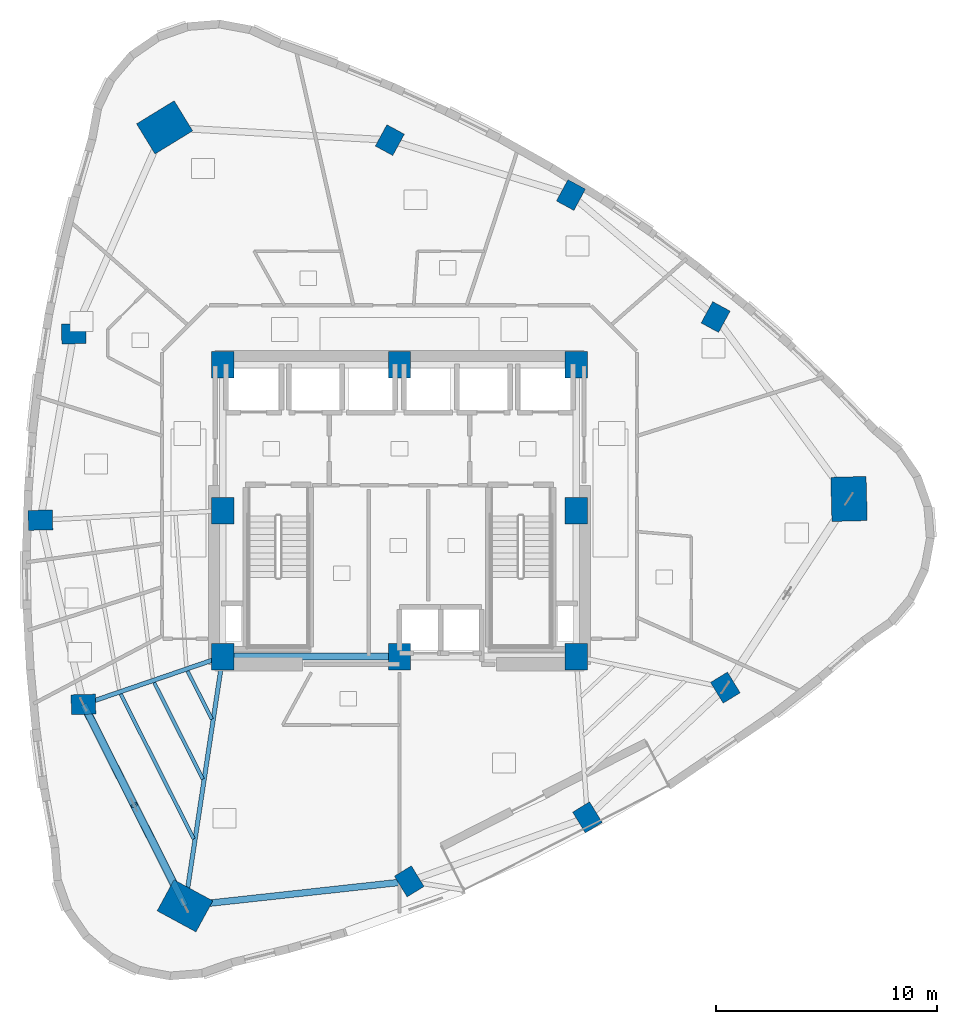
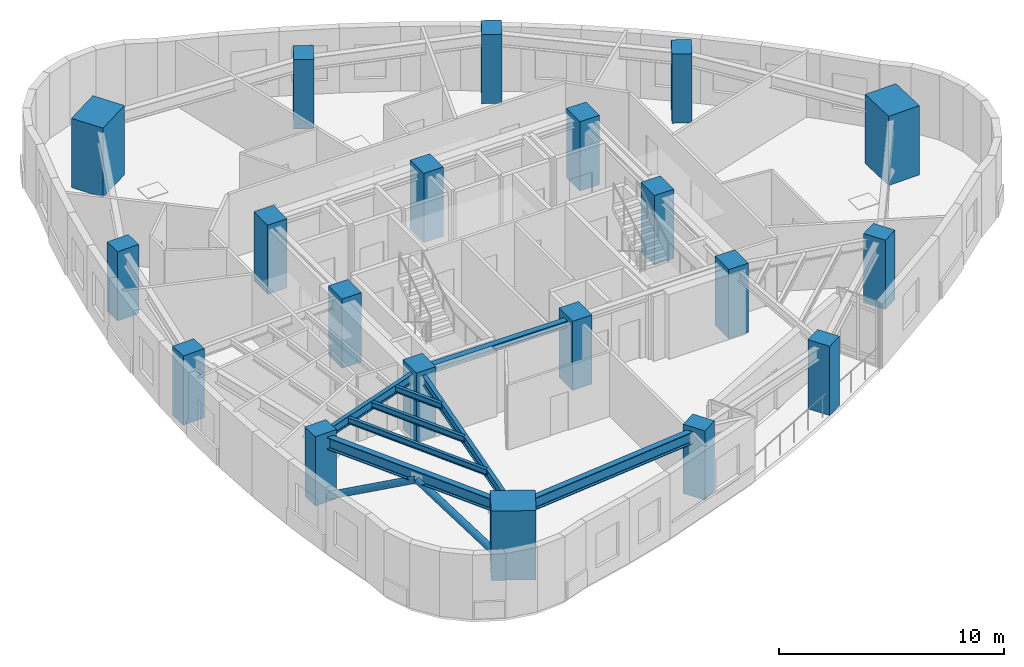
# One storey, part 1 of 12: 20 columns, 8 beams, 2 members.
"""IFC4 building model written with IfcOpenShell, lengths in metres."""

from ifc_helpers import new_model, si_unit, direction, frame, origin, origin_2d, place, context, subcontext, project, spatial, rectangle, hollow_circle, i_section, extrude, material, material_profile, profile_set, type_object, element, save


model = new_model("IFC4")

# Units and contexts
model_context = context("Model", 3, precision=1e-05, world=origin(), true_north=direction((0.0, 1.0)))
body_context = subcontext(model_context, "Body", "Model", "MODEL_VIEW")
ifc_project = project(units=[si_unit("LENGTHUNIT", "METRE"), si_unit("AREAUNIT", "SQUARE_METRE"), si_unit("VOLUMEUNIT", "CUBIC_METRE"), si_unit("PLANEANGLEUNIT", "RADIAN"), si_unit("MASSUNIT", "GRAM", prefix="KILO")], contexts=[model_context])

# Site, building, storey
site_placement = place(None, origin())
site = spatial("IfcSite", under=ifc_project, at=site_placement, CompositionType="ELEMENT")
building_placement = place(site_placement, origin())
building = spatial("IfcBuilding", under=site, at=building_placement, Name="Ndelora Gate Hotel", CompositionType="ELEMENT")
storey_placement = place(building_placement, frame((0.0, 0.0, 112.25)))
storey = spatial("IfcBuildingStorey", under=building, at=storey_placement, Name="L27", CompositionType="ELEMENT", Elevation=112.25)

# Columns
ifc_material_1 = material(Name="Concrete C60/75", Category="concrete")
ifc_material_profile_1 = material_profile(ifc_material_1, rectangle(XDim=1.0, YDim=1.199951171875, at=origin_2d()), Name="RC 1200x1000")
ifc_profile_set_1 = profile_set([ifc_material_profile_1], Name="Concrete C60/75")
column_type_1 = type_object("IfcColumnType", Name="COL-CC-MID", PredefinedType="COLUMN", material=ifc_profile_set_1)
for number, where, z_axis, x_axis, name in (
    (1, (-8.0, -6.60009765625, 0.0), (0.0, 0.0, 1.0), (1.0, 0.0, 0.0), "L27 Core Column CC1"),
    (2, (0.0, -6.60009765625, 0.0), (0.0, 0.0, 1.0), (1.0, 0.0, 0.0), "L27 Core Column CC2"),
    (3, (8.0, -6.60009765625, 0.0), (0.0, 0.0, 1.0), (1.0, 0.0, 0.0), "L27 Core Column CC3"),
    (4, (8.0, 0.0, 0.0), (0.0, 0.0, 1.0), (1.0, 0.0, 0.0), "L27 Core Column CC4"),
    (5, (8.0, 6.60009765625, 0.0), (0.0, 0.0, 1.0), (1.0, 0.0, 0.0), "L27 Core Column CC5"),
    (6, (0.0, 6.60009765625, 0.0), (0.0, 0.0, 1.0), (1.0, 0.0, 0.0), "L27 Core Column CC6"),
    (7, (-8.0, 6.60009765625, 0.0), (0.0, 0.0, 1.0), (1.0, 0.0, 0.0), "L27 Core Column CC7"),
    (8, (-8.0, 0.0, 0.0), (0.0, 0.0, 1.0), (1.0, 0.0, 0.0), "L27 Core Column CC8"),
):
    element("IfcColumn", number, at=place(storey_placement, frame(where, z_axis=z_axis, x_axis=x_axis)), inside=storey, type_object=column_type_1, Name=name, PredefinedType="COLUMN", context=body_context, shape_type="SweptSolid", body=[
        extrude(rectangle(XDim=1.0, YDim=1.199951171875, at=origin_2d()), origin(), (0.0, 0.0, 1.0), 3.75),
    ])
ifc_material_profile_2 = material_profile(ifc_material_1, rectangle(XDim=1.60009765625, YDim=2.0, at=origin_2d()), Name="RC 2000x1600")
ifc_profile_set_2 = profile_set([ifc_material_profile_2], Name="Concrete C60/75")
column_type_2 = type_object("IfcColumnType", Name="COL-MC-Z2", PredefinedType="COLUMN", material=ifc_profile_set_2)
for number, where, z_axis, x_axis, name in (
    (9, (-10.63330078125, 17.351806640625, 0.0), (0.0, 0.0, 1.0), (-0.522498564716, 0.852640164354, 0.0), "L27 Corner Mega-Column R1"),
    (10, (-9.71044921875, -17.884521484375, 0.0), (0.0, 0.0, 1.0), (0.47715876026, 0.878817112662, 0.0), "L27 Corner Mega-Column R5"),
    (11, (20.34375, 0.53271484375, 0.0), (0.0, 0.0, 1.0), (0.999657324976, 0.026176948308, 0.0), "L27 Corner Mega-Column R9"),
):
    element("IfcColumn", number, at=place(storey_placement, frame(where, z_axis=z_axis, x_axis=x_axis)), inside=storey, type_object=column_type_2, Name=name, PredefinedType="COLUMN", context=body_context, shape_type="SweptSolid", body=[
        extrude(rectangle(XDim=1.60009765625, YDim=2.0, at=origin_2d()), origin(), (0.0, 0.0, 1.0), 3.75),
    ])
ifc_material_profile_3 = material_profile(ifc_material_1, rectangle(XDim=0.89990234375, YDim=1.10009765625, at=origin_2d()), Name="RC 1100x900")
ifc_profile_set_3 = profile_set([ifc_material_profile_3], Name="Concrete C60/75")
column_type_3 = type_object("IfcColumnType", Name="COL-PT-Z2", PredefinedType="COLUMN", material=ifc_profile_set_3)
for number, where, z_axis, x_axis, name in (
    (12, (-14.74658203125, 8.006591796875, 0.0), (0.0, 0.0, 1.0), (-0.026176948308, 0.999657324976, 0.0), "L27 Perimeter Tube Column R2"),
    (13, (-16.25537109375, -0.42578125, 0.0), (0.0, 0.0, 1.0), (-0.026176948308, 0.999657324976, 0.0), "L27 Perimeter Tube Column R3"),
    (14, (-14.307373046875, -8.767578125, 0.0), (0.0, 0.0, 1.0), (-0.026176948308, 0.999657324976, 0.0), "L27 Perimeter Tube Column R4"),
    (15, (0.439208984375, -16.7744140625, 0.0), (0.0, 0.0, 1.0), (0.852640164354, 0.522498564716, 0.0), "L27 Perimeter Tube Column R6"),
    (16, (8.50439453125, -13.878173828125, 0.0), (0.0, 0.0, 1.0), (0.852640164354, 0.522498564716, 0.0), "L27 Perimeter Tube Column R7"),
    (17, (14.74658203125, -8.006591796875, 0.0), (0.0, 0.0, 1.0), (0.852640164354, 0.522498564716, 0.0), "L27 Perimeter Tube Column R8"),
    (18, (14.30712890625, 8.767333984375, 0.0), (0.0, 0.0, 1.0), (-0.878817112662, 0.47715876026, 0.0), "L27 Perimeter Tube Column R10"),
    (19, (7.759033203125, 14.290283203125, 0.0), (0.0, 0.0, 1.0), (-0.878817112662, 0.47715876026, 0.0), "L27 Perimeter Tube Column R11"),
    (20, (-0.439208984375, 16.7744140625, 0.0), (0.0, 0.0, 1.0), (-0.878817112662, 0.47715876026, 0.0), "L27 Perimeter Tube Column R12"),
):
    element("IfcColumn", number, at=place(storey_placement, frame(where, z_axis=z_axis, x_axis=x_axis)), inside=storey, type_object=column_type_3, Name=name, PredefinedType="COLUMN", context=body_context, shape_type="SweptSolid", body=[
        extrude(rectangle(XDim=0.89990234375, YDim=1.10009765625, at=origin_2d()), origin(), (0.0, 0.0, 1.0), 3.75),
    ])

# Beams
ifc_material_2 = material(Name="Steel S355", Category="steel")
ifc_material_profile_4 = material_profile(ifc_material_2, i_section(OverallWidth=0.300048828125, OverallDepth=0.360107421875, WebThickness=0.012451171875, FlangeThickness=0.0224609375, FilletRadius=0.027099609375, at=origin_2d()), Name="HEB 360")
ifc_profile_set_4 = profile_set([ifc_material_profile_4], Name="Steel S355")
beam_type_1 = type_object("IfcBeamType", Name="BM-CORE-360", PredefinedType="BEAM", material=ifc_profile_set_4)
beam_1_placement = place(storey_placement, frame((-8.0, -6.60009765625, 3.320068359375), z_axis=(1.0, 0.0, 0.0), x_axis=(0.0, 1.0, 0.0)))
element("IfcBeam", 21, at=beam_1_placement, inside=storey, type_object=beam_type_1, Name="L27 Core Tie Girder CC1-CC2", PredefinedType="BEAM", context=body_context, shape_type="SweptSolid", body=[
    extrude(i_section(OverallWidth=0.300048828125, OverallDepth=0.360107421875, WebThickness=0.012451171875, FlangeThickness=0.0224609375, FilletRadius=0.027099609375, at=origin_2d()), origin(), (0.0, 0.0, 1.0), 8.0),
])
ifc_material_profile_5 = material_profile(ifc_material_2, i_section(OverallWidth=0.159912109375, OverallDepth=0.330078125, WebThickness=0.007568359375, FlangeThickness=0.011474609375, FilletRadius=0.01806640625, at=origin_2d()), Name="IPE 330")
ifc_profile_set_5 = profile_set([ifc_material_profile_5], Name="Steel S355")
beam_type_2 = type_object("IfcBeamType", Name="BM-JST-330", PredefinedType="JOIST", material=ifc_profile_set_5)
beam_2_placement = place(storey_placement, frame((-9.59033203125, -7.26171875, 3.3349609375), z_axis=(0.450139260243, -0.892958367668, 0.0), x_axis=(0.892958367668, 0.450139260243, 0.0)))
element("IfcBeam", 22, at=beam_2_placement, inside=storey, type_object=beam_type_2, Name="L27 Secondary Composite Floor Joist IN-4", PredefinedType="JOIST", context=body_context, shape_type="SweptSolid", body=[
    extrude(i_section(OverallWidth=0.159912109375, OverallDepth=0.330078125, WebThickness=0.007568359375, FlangeThickness=0.011474609375, FilletRadius=0.01806640625, at=origin_2d()), origin(), (0.0, 0.0, 1.0), 2.4345703125),
])
beam_3_placement = place(storey_placement, frame((-11.10400390625, -7.781982421875, 3.3349609375), z_axis=(0.450189724408, -0.892932926953, 0.0), x_axis=(0.892932926953, 0.450189724408, 0.0)))
element("IfcBeam", 23, at=beam_3_placement, inside=storey, type_object=beam_type_2, Name="L27 Secondary Composite Floor Joist MID-4", PredefinedType="JOIST", context=body_context, shape_type="SweptSolid", body=[
    extrude(i_section(OverallWidth=0.159912109375, OverallDepth=0.330078125, WebThickness=0.007568359375, FlangeThickness=0.011474609375, FilletRadius=0.01806640625, at=origin_2d()), origin(), (0.0, 0.0, 1.0), 4.885009765625),
])
beam_4_placement = place(storey_placement, frame((-12.617919921875, -8.30224609375, 3.3349609375), z_axis=(0.45023300903, -0.892911102843, 0.0), x_axis=(0.892911102843, 0.45023300903, 0.0)))
element("IfcBeam", 24, at=beam_4_placement, inside=storey, type_object=beam_type_2, Name="L27 Secondary Composite Floor Joist OUT-4", PredefinedType="JOIST", context=body_context, shape_type="SweptSolid", body=[
    extrude(i_section(OverallWidth=0.159912109375, OverallDepth=0.330078125, WebThickness=0.007568359375, FlangeThickness=0.011474609375, FilletRadius=0.01806640625, at=origin_2d()), origin(), (0.0, 0.0, 1.0), 7.335693359375),
])
ifc_material_profile_6 = material_profile(ifc_material_2, i_section(OverallWidth=0.199951171875, OverallDepth=0.5, WebThickness=0.01025390625, FlangeThickness=0.01611328125, FilletRadius=0.02099609375, at=origin_2d()), Name="IPE 500")
ifc_profile_set_6 = profile_set([ifc_material_profile_6], Name="Steel S355")
beam_type_3 = type_object("IfcBeamType", Name="BM-RAD-500", PredefinedType="BEAM", material=ifc_profile_set_6)
beam_5_placement = place(storey_placement, frame((-8.0, -6.60009765625, 3.25), z_axis=(-0.945717893913, -0.324988715392, 0.0), x_axis=(0.324988715392, -0.945717893913, 0.0)))
element("IfcBeam", 25, at=beam_5_placement, inside=storey, type_object=beam_type_3, Name="L27 Radial Floor Girder 4", PredefinedType="BEAM", context=body_context, shape_type="SweptSolid", body=[
    extrude(i_section(OverallWidth=0.199951171875, OverallDepth=0.5, WebThickness=0.01025390625, FlangeThickness=0.01611328125, FilletRadius=0.02099609375, at=origin_2d()), origin(), (0.0, 0.0, 1.0), 6.66943359375),
])
beam_6_placement = place(storey_placement, frame((-8.0, -6.60009765625, 3.25), z_axis=(-0.149864309615, -0.988706573612, 0.0), x_axis=(0.988706573612, -0.149864309615, 0.0)))
element("IfcBeam", 26, at=beam_6_placement, inside=storey, type_object=beam_type_3, Name="L27 Radial Floor Girder 5", PredefinedType="BEAM", context=body_context, shape_type="SweptSolid", body=[
    extrude(i_section(OverallWidth=0.199951171875, OverallDepth=0.5, WebThickness=0.01025390625, FlangeThickness=0.01611328125, FilletRadius=0.02099609375, at=origin_2d()), origin(), (0.0, 0.0, 1.0), 11.413330078125),
])
ifc_material_profile_7 = material_profile(ifc_material_2, i_section(OverallWidth=0.300048828125, OverallDepth=0.64990234375, WebThickness=0.01611328125, FlangeThickness=0.031005859375, FilletRadius=0.027099609375, at=origin_2d()), Name="HEB 650")
ifc_profile_set_7 = profile_set([ifc_material_profile_7], Name="Steel S355")
beam_type_4 = type_object("IfcBeamType", Name="BM-RING-650", PredefinedType="SPANDREL", material=ifc_profile_set_7)
for number, where, z_axis, x_axis, name in (
    (27, (-14.307373046875, -8.767578125, 3.175048828125), (0.450223868811, -0.892915711561, 0.0), (0.892915711561, 0.450223868811, 0.0), "L27 Perimeter Spandrel Girder 4"),
    (28, (-9.71044921875, -17.884521484375, 3.175048828125), (0.994071812898, 0.108725483685, 0.0), (-0.108725483685, 0.994071812898, 0.0), "L27 Perimeter Spandrel Girder 5"),
):
    element("IfcBeam", number, at=place(storey_placement, frame(where, z_axis=z_axis, x_axis=x_axis)), inside=storey, type_object=beam_type_4, Name=name, PredefinedType="SPANDREL", context=body_context, shape_type="SweptSolid", body=[
        extrude(i_section(OverallWidth=0.300048828125, OverallDepth=0.64990234375, WebThickness=0.01611328125, FlangeThickness=0.031005859375, FilletRadius=0.027099609375, at=origin_2d()), origin(), (0.0, 0.0, 1.0), 10.210205078125),
    ])

# Members
ifc_material_profile_8 = material_profile(ifc_material_2, hollow_circle(Radius=0.177978515625, WallThickness=0.01611328125, at=origin_2d()), Name="CHS 356x16")
ifc_profile_set_8 = profile_set([ifc_material_profile_8], Name="Steel S355")
member_type = type_object("IfcMemberType", Name="MB-TUBE-356", PredefinedType="BRACE", material=ifc_profile_set_8)
for number, where, z_axis, x_axis, name in (
    (29, (-14.307373046875, -8.767578125, 0.02001953125), (0.390508461166, -0.774422037007, 0.497768671529), (0.892901251526, 0.450252545826, 0.0), "L27 Perimeter Braced-Tube Diagonal 4A"),
    (30, (-9.71044921875, -17.884521484375, 0.02001953125), (-0.390460765703, 0.774451180922, 0.49776074455), (-0.89293017037, -0.450195191938, 0.0), "L27 Perimeter Braced-Tube Diagonal 4B"),
):
    element("IfcMember", number, at=place(storey_placement, frame(where, z_axis=z_axis, x_axis=x_axis)), inside=storey, type_object=member_type, Name=name, PredefinedType="BRACE", context=body_context, shape_type="SweptSolid", body=[
        extrude(hollow_circle(Radius=0.177978515625, WallThickness=0.01611328125, at=origin_2d()), origin(), (0.0, 0.0, 1.0), 5.88623046875),
    ])

save(model, "model.ifc")
